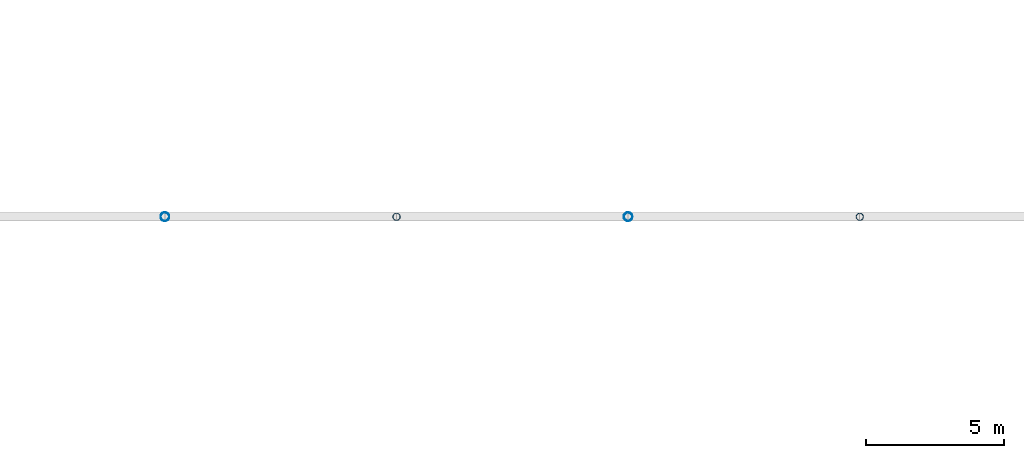
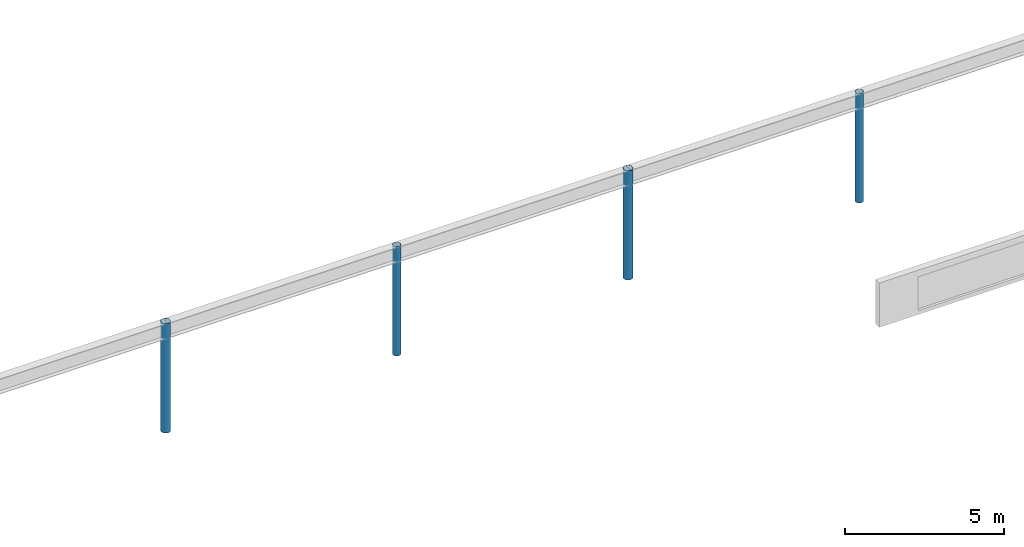
# One storey, part 27 of 218: 4 columns.
"""IFC4 building model written with IfcOpenShell, lengths in metres."""

from ifc_helpers import new_model, si_unit, direction, frame, origin, origin_2d, place, context, subcontext, project, spatial, hollow_circle, extrude, material, material_profile, profile_set, type_object, element, save


model = new_model("IFC4")

# Units and contexts
model_context = context("Model", 3, precision=1e-05, world=origin(), true_north=direction((0.0, 1.0)))
body_context = subcontext(model_context, "Body", "Model", "MODEL_VIEW")
ifc_project = project(units=[si_unit("LENGTHUNIT", "METRE"), si_unit("AREAUNIT", "SQUARE_METRE"), si_unit("VOLUMEUNIT", "CUBIC_METRE"), si_unit("PLANEANGLEUNIT", "RADIAN"), si_unit("MASSUNIT", "GRAM", prefix="KILO")], contexts=[model_context])

# Site, building, storey
site_placement = place(None, origin())
site = spatial("IfcSite", under=ifc_project, at=site_placement, CompositionType="ELEMENT")
building_placement = place(site_placement, origin())
building = spatial("IfcBuilding", under=site, at=building_placement, Name="Kazenagashi Tramway Depot", CompositionType="ELEMENT")
storey_placement = place(building_placement, frame((0.0, 0.0, 6.0)))
storey = spatial("IfcBuildingStorey", under=building, at=storey_placement, Name="L02", CompositionType="ELEMENT", Elevation=6.0)

# Columns
ifc_material = material(Name="Steel STK490", Category="steel")
ifc_material_profile_1 = material_profile(ifc_material, hollow_circle(Radius=0.1337, WallThickness=0.0093, at=origin_2d()), Name="CHS-267.4x9.3")
ifc_profile_set_1 = profile_set([ifc_material_profile_1], Name="Steel STK490")
column_type_1 = type_object("IfcColumnType", Name="C-14", PredefinedType="COLUMN", material=ifc_profile_set_1)
for number, where, z_axis, x_axis, name in (
    (1, (137.2, 100.0, 0.0), (0.0, 0.0, 1.0), (1.0, 0.0, 0.0), "Column C-14 COL-0070"),
    (2, (154.0, 100.0, 0.0), (0.0, 0.0, 1.0), (1.0, 0.0, 0.0), "Column C-14 COL-0082"),
):
    element("IfcColumn", number, at=place(storey_placement, frame(where, z_axis=z_axis, x_axis=x_axis)), inside=storey, type_object=column_type_1, Name=name, PredefinedType="COLUMN", context=body_context, shape_type="SweptSolid", body=[
        extrude(hollow_circle(Radius=0.1337, WallThickness=0.0093, at=origin_2d()), origin(), (0.0, 0.0, 1.0), 4.2),
    ])
ifc_material_profile_2 = material_profile(ifc_material, hollow_circle(Radius=0.15925, WallThickness=0.0103, at=origin_2d()), Name="CHS-318.5x10.3")
ifc_profile_set_2 = profile_set([ifc_material_profile_2], Name="Steel STK490")
column_type_2 = type_object("IfcColumnType", Name="C-18", PredefinedType="COLUMN", material=ifc_profile_set_2)
for number, where, z_axis, x_axis, name in (
    (3, (128.8, 100.0, 0.0), (0.0, 0.0, 1.0), (1.0, 0.0, 0.0), "Column C-18 COL-0064"),
    (4, (145.6, 100.0, 0.0), (0.0, 0.0, 1.0), (1.0, 0.0, 0.0), "Column C-18 COL-0076"),
):
    element("IfcColumn", number, at=place(storey_placement, frame(where, z_axis=z_axis, x_axis=x_axis)), inside=storey, type_object=column_type_2, Name=name, PredefinedType="COLUMN", context=body_context, shape_type="SweptSolid", body=[
        extrude(hollow_circle(Radius=0.15925, WallThickness=0.0103, at=origin_2d()), origin(), (0.0, 0.0, 1.0), 4.2),
    ])

save(model, "model.ifc")
